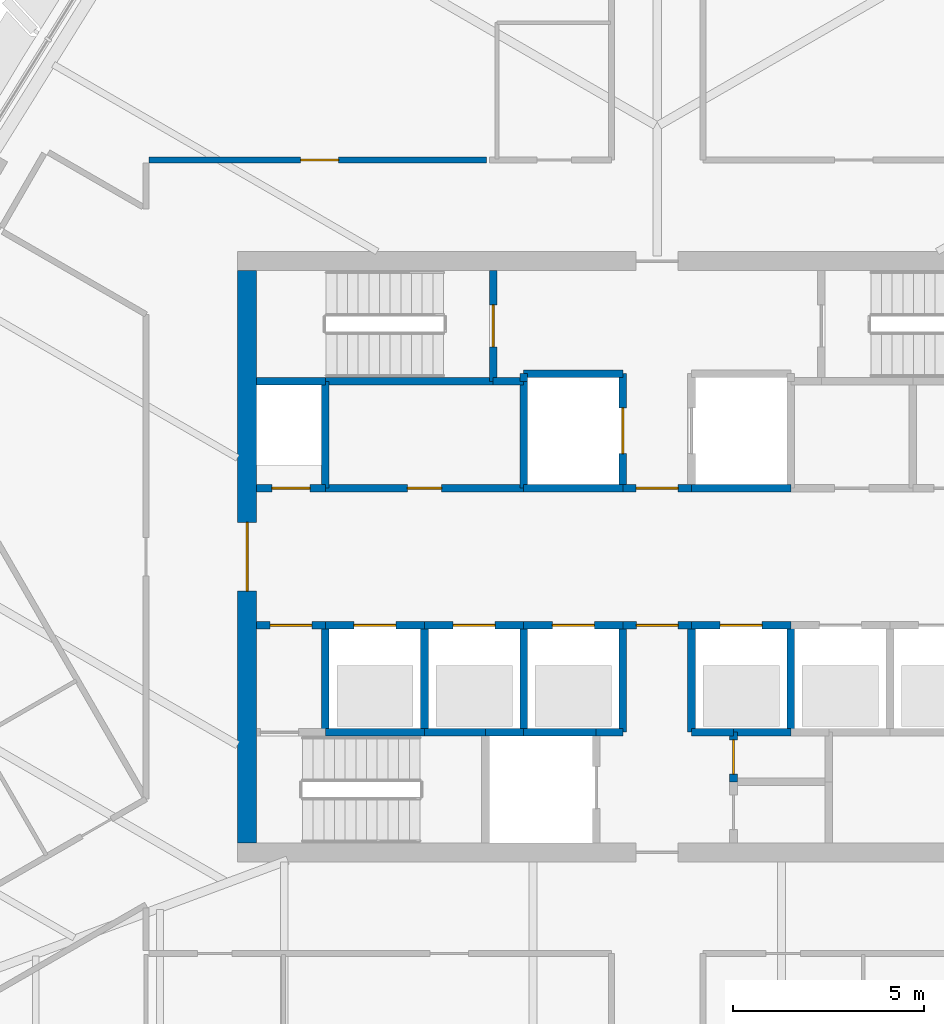
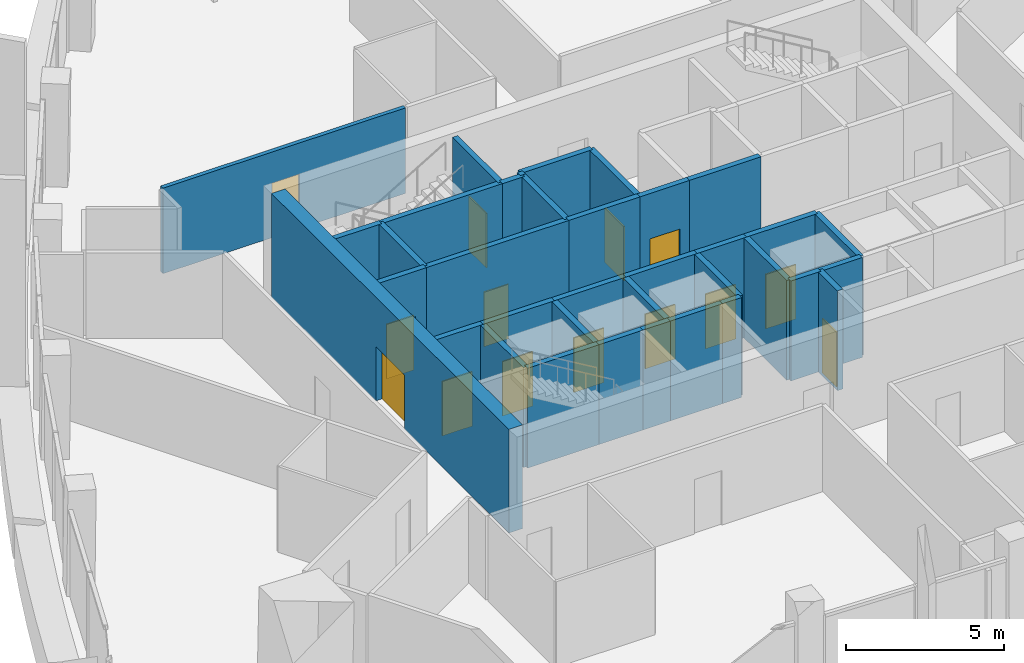
# One storey, part 9 of 16: 36 walls, 14 doors, 14 openings.
"""IFC4 building model written with IfcOpenShell, lengths in metres."""

from ifc_helpers import new_model, si_unit, direction, frame, frame_2d, origin, place, context, subcontext, project, spatial, rectangle, extrude, material, layer, layer_set, type_object, element, fill, save


model = new_model("IFC4")

# Units and contexts
model_context = context("Model", 3, precision=1e-05, world=origin(), true_north=direction((0.0, 1.0)))
body_context = subcontext(model_context, "Body", "Model", "MODEL_VIEW")
ifc_project = project(units=[si_unit("LENGTHUNIT", "METRE"), si_unit("AREAUNIT", "SQUARE_METRE"), si_unit("VOLUMEUNIT", "CUBIC_METRE"), si_unit("PLANEANGLEUNIT", "RADIAN"), si_unit("MASSUNIT", "GRAM", prefix="KILO")], contexts=[model_context])

# Site, building, storey
site_placement = place(None, origin())
site = spatial("IfcSite", under=ifc_project, at=site_placement, CompositionType="ELEMENT")
building_placement = place(site_placement, origin())
building = spatial("IfcBuilding", under=site, at=building_placement, Name="Sierra Prisma Convention Tower", CompositionType="ELEMENT")
storey_placement = place(building_placement, frame((0.0, 0.0, 271.0)))
storey = spatial("IfcBuildingStorey", under=building, at=storey_placement, Name="L61", CompositionType="ELEMENT", Elevation=271.0)

# Wall, opening, door
ifc_material_1 = material(Name="Concrete C30/37", Category="concrete")
ifc_layer_1 = layer(ifc_material_1, 0.199951171875)
ifc_layer_set_1 = layer_set([ifc_layer_1], Name="Core wall RC 200 C30/37")
wall_type_1 = type_object("IfcWallType", Name="Core wall RC 200 C30/37", PredefinedType="SOLIDWALL", material=ifc_layer_set_1)
wall_1_placement = place(storey_placement, frame((-10.5, -1.800048828125, 0.0), z_axis=(0.0, 0.0, 1.0), x_axis=(1.0, 0.0, 0.0)))
wall_1 = element("IfcWall", 1, at=wall_1_placement, inside=storey, type_object=wall_type_1, Name="Core wall L61 2", PredefinedType="SOLIDWALL", context=body_context, shape_type="SweptSolid", body=[
    extrude(rectangle(XDim=1.800048828125, YDim=0.199951171875, at=frame_2d((0.89990234375, 0.0))), origin(), (0.0, 0.0, 1.0), 3.85009765625),
])
opening_1_placement = place(wall_1_placement, frame((0.35009765625, 0.0, 0.0)))
opening_1 = element("IfcOpeningElement", 2, at=opening_1_placement, cuts=wall_1, Name="Opening L61-D010", PredefinedType="OPENING", context=body_context, shape_type="SweptSolid", body=[
    extrude(rectangle(XDim=1.10009765625, YDim=2.10009765625, at=frame_2d((0.550048828125, 1.050048828125))), frame((0.0, 0.10009765625, 0.0), z_axis=(0.0, -1.0, 0.0), x_axis=(1.0, 0.0, 0.0)), (0.0, 0.0, 1.0), 0.199951171875),
])
ifc_material_2 = material(Name="Steel fire door leaf", Category="steel")
door_type_1 = type_object("IfcDoorType", Name="Door 1100x2100 FD90S", OperationType="SINGLE_SWING_LEFT", PredefinedType="DOOR", material=ifc_material_2)
door_1_placement = place(opening_1_placement, origin())
door_1 = element("IfcDoor", 3, at=door_1_placement, inside=storey, type_object=door_type_1, Name="Door L61 24", OperationType="SINGLE_SWING_RIGHT", OverallHeight=2.10009765625, OverallWidth=1.10009765625, PredefinedType="DOOR", context=body_context, shape_type="SweptSolid", body=[
    extrude(rectangle(XDim=1.10009765625, YDim=2.10009765625, at=frame_2d((0.550048828125, 1.050048828125))), frame((0.0, 0.02490234375, 0.0), z_axis=(0.0, -1.0, 0.0), x_axis=(1.0, 0.0, 0.0)), (0.0, 0.0, 1.0), 0.050048828125),
])
fill(opening_1, door_1)

wall_2_placement = place(storey_placement, frame((-8.699951171875, 1.800048828125, 0.0), z_axis=(0.0, 0.0, 1.0), x_axis=(-1.0, 0.0, 0.0)))
wall_2 = element("IfcWall", 4, at=wall_2_placement, inside=storey, type_object=wall_type_1, Name="Core wall L61 3", PredefinedType="SOLIDWALL", context=body_context, shape_type="SweptSolid", body=[
    extrude(rectangle(XDim=1.800048828125, YDim=0.199951171875, at=frame_2d((0.89990234375, 0.0))), origin(), (0.0, 0.0, 1.0), 3.85009765625),
])
opening_2_placement = place(wall_2_placement, frame((0.39990234375, 0.0, 0.0)))
opening_2 = element("IfcOpeningElement", 5, at=opening_2_placement, cuts=wall_2, Name="Opening L61-D013", PredefinedType="OPENING", context=body_context, shape_type="SweptSolid", body=[
    extrude(rectangle(XDim=1.0, YDim=2.10009765625, at=frame_2d((0.5, 1.050048828125))), frame((0.0, 0.10009765625, 0.0), z_axis=(0.0, -1.0, 0.0), x_axis=(1.0, 0.0, 0.0)), (0.0, 0.0, 1.0), 0.199951171875),
])
ifc_material_3 = material(Name="Steel fire door leaf", Category="steel")
door_type_2 = type_object("IfcDoorType", Name="Door 1000x2100 FD60S", OperationType="SINGLE_SWING_LEFT", PredefinedType="DOOR", material=ifc_material_3)
door_2_placement = place(opening_2_placement, origin())
door_2 = element("IfcDoor", 6, at=door_2_placement, inside=storey, type_object=door_type_2, Name="Door L61 27", OperationType="SINGLE_SWING_RIGHT", OverallHeight=2.10009765625, OverallWidth=1.0, PredefinedType="DOOR", context=body_context, shape_type="SweptSolid", body=[
    extrude(rectangle(XDim=1.0, YDim=2.10009765625, at=frame_2d((0.5, 1.050048828125))), frame((0.0, 0.02490234375, 0.0), z_axis=(0.0, -1.0, 0.0), x_axis=(1.0, 0.0, 0.0)), (0.0, 0.0, 1.0), 0.050048828125),
])
fill(opening_2, door_2)

# Walls
wall_3_placement = place(storey_placement, frame((-8.699951171875, 4.60009765625, 0.0), z_axis=(0.0, 0.0, 1.0), x_axis=(-1.0, 0.0, 0.0)))
element("IfcWall", 7, at=wall_3_placement, inside=storey, type_object=wall_type_1, Name="Core wall L61 4", PredefinedType="SOLIDWALL", context=body_context, shape_type="SweptSolid", body=[
    extrude(rectangle(XDim=1.800048828125, YDim=0.199951171875, at=frame_2d((0.89990234375, 0.0))), origin(), (0.0, 0.0, 1.0), 3.85009765625),
])
wall_4_placement = place(storey_placement, frame((-8.699951171875, -4.60009765625, 0.0), z_axis=(0.0, 0.0, 1.0), x_axis=(1.0, 0.0, 0.0)))
element("IfcWall", 8, at=wall_4_placement, inside=storey, type_object=wall_type_1, Name="Core wall L61 5", PredefinedType="SOLIDWALL", context=body_context, shape_type="SweptSolid", body=[
    extrude(rectangle(XDim=2.599853515625, YDim=0.199951171875, at=frame_2d((1.2998046875, 0.0))), origin(), (0.0, 0.0, 1.0), 3.85009765625),
])
wall_5_placement = place(storey_placement, frame((-8.699951171875, -4.60009765625, 0.0), z_axis=(0.0, 0.0, 1.0), x_axis=(0.0, 1.0, 0.0)))
element("IfcWall", 9, at=wall_5_placement, inside=storey, type_object=wall_type_1, Name="Core wall L61 6", PredefinedType="SOLIDWALL", context=body_context, shape_type="SweptSolid", body=[
    extrude(rectangle(XDim=2.800048828125, YDim=0.199951171875, at=frame_2d((1.39990234375, 0.0))), origin(), (0.0, 0.0, 1.0), 3.85009765625),
])

# Wall, opening, door
wall_6_placement = place(storey_placement, frame((-8.699951171875, -1.800048828125, 0.0), z_axis=(0.0, 0.0, 1.0), x_axis=(1.0, 0.0, 0.0)))
wall_6 = element("IfcWall", 10, at=wall_6_placement, inside=storey, type_object=wall_type_1, Name="Core wall L61 7", PredefinedType="SOLIDWALL", context=body_context, shape_type="SweptSolid", body=[
    extrude(rectangle(XDim=2.599853515625, YDim=0.199951171875, at=frame_2d((1.2998046875, 0.0))), origin(), (0.0, 0.0, 1.0), 3.85009765625),
])
opening_3_placement = place(wall_6_placement, frame((0.75, 0.0, 0.0)))
opening_3 = element("IfcOpeningElement", 11, at=opening_3_placement, cuts=wall_6, Name="Opening L61-D001", PredefinedType="OPENING", context=body_context, shape_type="SweptSolid", body=[
    extrude(rectangle(XDim=1.10009765625, YDim=2.10009765625, at=frame_2d((0.550048828125, 1.050048828125))), frame((0.0, 0.10009765625, 0.0), z_axis=(0.0, -1.0, 0.0), x_axis=(1.0, 0.0, 0.0)), (0.0, 0.0, 1.0), 0.199951171875),
])
ifc_material_4 = material(Name="Steel fire door leaf", Category="steel")
door_type_3 = type_object("IfcDoorType", Name="Door 1100x2100 EI 90 sliding lift landing", OperationType="SLIDING_TO_LEFT", PredefinedType="DOOR", material=ifc_material_4)
door_3_placement = place(opening_3_placement, origin())
door_3 = element("IfcDoor", 12, at=door_3_placement, inside=storey, type_object=door_type_3, Name="Door L61 15", OperationType="SLIDING_TO_LEFT", OverallHeight=2.10009765625, OverallWidth=1.10009765625, PredefinedType="DOOR", context=body_context, shape_type="SweptSolid", body=[
    extrude(rectangle(XDim=1.10009765625, YDim=2.10009765625, at=frame_2d((0.550048828125, 1.050048828125))), frame((0.0, 0.02490234375, 0.0), z_axis=(0.0, -1.0, 0.0), x_axis=(1.0, 0.0, 0.0)), (0.0, 0.0, 1.0), 0.050048828125),
])
fill(opening_3, door_3)

wall_7_placement = place(storey_placement, frame((-8.699951171875, 1.800048828125, 0.0), z_axis=(0.0, 0.0, 1.0), x_axis=(1.0, 0.0, 0.0)))
wall_7 = element("IfcWall", 13, at=wall_7_placement, inside=storey, type_object=wall_type_1, Name="Core wall L61 8", PredefinedType="SOLIDWALL", context=body_context, shape_type="SweptSolid", body=[
    extrude(rectangle(XDim=5.199951171875, YDim=0.199951171875, at=frame_2d((2.60009765625, 0.0))), origin(), (0.0, 0.0, 1.0), 3.85009765625),
])
opening_4_placement = place(wall_7_placement, frame((2.14990234375, 0.0, 0.0)))
opening_4 = element("IfcOpeningElement", 14, at=opening_4_placement, cuts=wall_7, Name="Opening L61-D020", PredefinedType="OPENING", context=body_context, shape_type="SweptSolid", body=[
    extrude(rectangle(XDim=0.89990234375, YDim=2.10009765625, at=frame_2d((0.449951171875, 1.050048828125))), frame((0.0, 0.10009765625, 0.0), z_axis=(0.0, -1.0, 0.0), x_axis=(1.0, 0.0, 0.0)), (0.0, 0.0, 1.0), 0.199951171875),
])
ifc_material_5 = material(Name="Steel fire door leaf", Category="steel")
door_type_4 = type_object("IfcDoorType", Name="Door 900x2100 FD30S", OperationType="SINGLE_SWING_LEFT", PredefinedType="DOOR", material=ifc_material_5)
door_4_placement = place(opening_4_placement, origin())
door_4 = element("IfcDoor", 15, at=door_4_placement, inside=storey, type_object=door_type_4, Name="Door L61 34", OperationType="SINGLE_SWING_RIGHT", OverallHeight=2.10009765625, OverallWidth=0.89990234375, PredefinedType="DOOR", context=body_context, shape_type="SweptSolid", body=[
    extrude(rectangle(XDim=0.89990234375, YDim=2.10009765625, at=frame_2d((0.449951171875, 1.050048828125))), frame((0.0, 0.02490234375, 0.0), z_axis=(0.0, -1.0, 0.0), x_axis=(1.0, 0.0, 0.0)), (0.0, 0.0, 1.0), 0.050048828125),
])
fill(opening_4, door_4)

# Walls
wall_8_placement = place(storey_placement, frame((-8.699951171875, 4.60009765625, 0.0), z_axis=(0.0, 0.0, 1.0), x_axis=(0.0, -1.0, 0.0)))
element("IfcWall", 16, at=wall_8_placement, inside=storey, type_object=wall_type_1, Name="Core wall L61 9", PredefinedType="SOLIDWALL", context=body_context, shape_type="SweptSolid", body=[
    extrude(rectangle(XDim=2.800048828125, YDim=0.199951171875, at=frame_2d((1.39990234375, 0.0))), origin(), (0.0, 0.0, 1.0), 3.85009765625),
])
wall_9_placement = place(storey_placement, frame((-4.300048828125, 4.60009765625, 0.0), z_axis=(0.0, 0.0, 1.0), x_axis=(-1.0, 0.0, 0.0)))
element("IfcWall", 17, at=wall_9_placement, inside=storey, type_object=wall_type_1, Name="Core wall L61 10", PredefinedType="SOLIDWALL", context=body_context, shape_type="SweptSolid", body=[
    extrude(rectangle(XDim=4.39990234375, YDim=0.199951171875, at=frame_2d((2.199951171875, 0.0))), origin(), (0.0, 0.0, 1.0), 3.85009765625),
])
wall_10_placement = place(storey_placement, frame((-6.10009765625, -4.60009765625, 0.0), z_axis=(0.0, 0.0, 1.0), x_axis=(1.0, 0.0, 0.0)))
element("IfcWall", 18, at=wall_10_placement, inside=storey, type_object=wall_type_1, Name="Core wall L61 11", PredefinedType="SOLIDWALL", context=body_context, shape_type="SweptSolid", body=[
    extrude(rectangle(XDim=1.60009765625, YDim=0.199951171875, at=frame_2d((0.800048828125, 0.0))), origin(), (0.0, 0.0, 1.0), 3.85009765625),
])
wall_11_placement = place(storey_placement, frame((-6.10009765625, -4.60009765625, 0.0), z_axis=(0.0, 0.0, 1.0), x_axis=(0.0, 1.0, 0.0)))
element("IfcWall", 19, at=wall_11_placement, inside=storey, type_object=wall_type_1, Name="Core wall L61 12", PredefinedType="SOLIDWALL", context=body_context, shape_type="SweptSolid", body=[
    extrude(rectangle(XDim=2.800048828125, YDim=0.199951171875, at=frame_2d((1.39990234375, 0.0))), origin(), (0.0, 0.0, 1.0), 3.85009765625),
])

# Wall, opening, door
wall_12_placement = place(storey_placement, frame((-6.10009765625, -1.800048828125, 0.0), z_axis=(0.0, 0.0, 1.0), x_axis=(1.0, 0.0, 0.0)))
wall_12 = element("IfcWall", 20, at=wall_12_placement, inside=storey, type_object=wall_type_1, Name="Core wall L61 13", PredefinedType="SOLIDWALL", context=body_context, shape_type="SweptSolid", body=[
    extrude(rectangle(XDim=2.60009765625, YDim=0.199951171875, at=frame_2d((1.300048828125, 0.0))), origin(), (0.0, 0.0, 1.0), 3.85009765625),
])
opening_5_placement = place(wall_12_placement, frame((0.75, 0.0, 0.0)))
opening_5 = element("IfcOpeningElement", 21, at=opening_5_placement, cuts=wall_12, Name="Opening L61-D002", PredefinedType="OPENING", context=body_context, shape_type="SweptSolid", body=[
    extrude(rectangle(XDim=1.10009765625, YDim=2.10009765625, at=frame_2d((0.550048828125, 1.050048828125))), frame((0.0, 0.10009765625, 0.0), z_axis=(0.0, -1.0, 0.0), x_axis=(1.0, 0.0, 0.0)), (0.0, 0.0, 1.0), 0.199951171875),
])
door_5_placement = place(opening_5_placement, origin())
door_5 = element("IfcDoor", 22, at=door_5_placement, inside=storey, type_object=door_type_3, Name="Door L61 16", OperationType="SLIDING_TO_RIGHT", OverallHeight=2.10009765625, OverallWidth=1.10009765625, PredefinedType="DOOR", context=body_context, shape_type="SweptSolid", body=[
    extrude(rectangle(XDim=1.10009765625, YDim=2.10009765625, at=frame_2d((0.550048828125, 1.050048828125))), frame((0.0, 0.02490234375, 0.0), z_axis=(0.0, -1.0, 0.0), x_axis=(1.0, 0.0, 0.0)), (0.0, 0.0, 1.0), 0.050048828125),
])
fill(opening_5, door_5)

# Walls
wall_13_placement = place(storey_placement, frame((-4.5, -4.60009765625, 0.0), z_axis=(0.0, 0.0, 1.0), x_axis=(1.0, 0.0, 0.0)))
element("IfcWall", 23, at=wall_13_placement, inside=storey, type_object=wall_type_1, Name="Core wall L61 15", PredefinedType="SOLIDWALL", context=body_context, shape_type="SweptSolid", body=[
    extrude(rectangle(XDim=1.0, YDim=0.199951171875, at=frame_2d((0.5, 0.0))), origin(), (0.0, 0.0, 1.0), 3.85009765625),
])
wall_14_placement = place(storey_placement, frame((-3.5, 4.60009765625, 0.0), z_axis=(0.0, 0.0, 1.0), x_axis=(-1.0, 0.0, 0.0)))
element("IfcWall", 24, at=wall_14_placement, inside=storey, type_object=wall_type_1, Name="Core wall L61 16", PredefinedType="SOLIDWALL", context=body_context, shape_type="SweptSolid", body=[
    extrude(rectangle(XDim=0.800048828125, YDim=0.199951171875, at=frame_2d((0.39990234375, 0.0))), origin(), (0.0, 0.0, 1.0), 3.85009765625),
])

# Wall, opening, door
wall_15_placement = place(storey_placement, frame((-4.300048828125, 4.60009765625, 0.0), z_axis=(0.0, 0.0, 1.0), x_axis=(0.0, 1.0, 0.0)))
wall_15 = element("IfcWall", 25, at=wall_15_placement, inside=storey, type_object=wall_type_1, Name="Core wall L61 17", PredefinedType="SOLIDWALL", context=body_context, shape_type="SweptSolid", body=[
    extrude(rectangle(XDim=2.89990234375, YDim=0.199951171875, at=frame_2d((1.449951171875, 0.0))), origin(), (0.0, 0.0, 1.0), 3.85009765625),
])
opening_6_placement = place(wall_15_placement, frame((0.89990234375, 0.0, 0.0)))
opening_6 = element("IfcOpeningElement", 26, at=opening_6_placement, cuts=wall_15, Name="Opening L61-D016", PredefinedType="OPENING", context=body_context, shape_type="SweptSolid", body=[
    extrude(rectangle(XDim=1.10009765625, YDim=2.10009765625, at=frame_2d((0.550048828125, 1.050048828125))), frame((0.0, 0.10009765625, 0.0), z_axis=(0.0, -1.0, 0.0), x_axis=(1.0, 0.0, 0.0)), (0.0, 0.0, 1.0), 0.199951171875),
])
door_6_placement = place(opening_6_placement, origin())
door_6 = element("IfcDoor", 27, at=door_6_placement, inside=storey, type_object=door_type_1, Name="Door L61 30", OperationType="SINGLE_SWING_RIGHT", OverallHeight=2.10009765625, OverallWidth=1.10009765625, PredefinedType="DOOR", context=body_context, shape_type="SweptSolid", body=[
    extrude(rectangle(XDim=1.10009765625, YDim=2.10009765625, at=frame_2d((0.550048828125, 1.050048828125))), frame((0.0, 0.02490234375, 0.0), z_axis=(0.0, -1.0, 0.0), x_axis=(1.0, 0.0, 0.0)), (0.0, 0.0, 1.0), 0.050048828125),
])
fill(opening_6, door_6)

# Walls
wall_16_placement = place(storey_placement, frame((-3.5, -4.60009765625, 0.0), z_axis=(0.0, 0.0, 1.0), x_axis=(1.0, 0.0, 0.0)))
element("IfcWall", 28, at=wall_16_placement, inside=storey, type_object=wall_type_1, Name="Core wall L61 18", PredefinedType="SOLIDWALL", context=body_context, shape_type="SweptSolid", body=[
    extrude(rectangle(XDim=1.89990234375, YDim=0.199951171875, at=frame_2d((0.949951171875, 0.0))), origin(), (0.0, 0.0, 1.0), 3.85009765625),
])
wall_17_placement = place(storey_placement, frame((-3.5, -4.60009765625, 0.0), z_axis=(0.0, 0.0, 1.0), x_axis=(0.0, 1.0, 0.0)))
element("IfcWall", 29, at=wall_17_placement, inside=storey, type_object=wall_type_1, Name="Core wall L61 19", PredefinedType="SOLIDWALL", context=body_context, shape_type="SweptSolid", body=[
    extrude(rectangle(XDim=2.800048828125, YDim=0.199951171875, at=frame_2d((1.39990234375, 0.0))), origin(), (0.0, 0.0, 1.0), 3.85009765625),
])

# Wall, opening, door
wall_18_placement = place(storey_placement, frame((-3.5, -1.800048828125, 0.0), z_axis=(0.0, 0.0, 1.0), x_axis=(1.0, 0.0, 0.0)))
wall_18 = element("IfcWall", 30, at=wall_18_placement, inside=storey, type_object=wall_type_1, Name="Core wall L61 20", PredefinedType="SOLIDWALL", context=body_context, shape_type="SweptSolid", body=[
    extrude(rectangle(XDim=2.60009765625, YDim=0.199951171875, at=frame_2d((1.300048828125, 0.0))), origin(), (0.0, 0.0, 1.0), 3.85009765625),
])
opening_7_placement = place(wall_18_placement, frame((0.75, 0.0, 0.0)))
opening_7 = element("IfcOpeningElement", 31, at=opening_7_placement, cuts=wall_18, Name="Opening L61-D003", PredefinedType="OPENING", context=body_context, shape_type="SweptSolid", body=[
    extrude(rectangle(XDim=1.10009765625, YDim=2.10009765625, at=frame_2d((0.550048828125, 1.050048828125))), frame((0.0, 0.10009765625, 0.0), z_axis=(0.0, -1.0, 0.0), x_axis=(1.0, 0.0, 0.0)), (0.0, 0.0, 1.0), 0.199951171875),
])
door_7_placement = place(opening_7_placement, origin())
door_7 = element("IfcDoor", 32, at=door_7_placement, inside=storey, type_object=door_type_3, Name="Door L61 17", OperationType="SLIDING_TO_RIGHT", OverallHeight=2.10009765625, OverallWidth=1.10009765625, PredefinedType="DOOR", context=body_context, shape_type="SweptSolid", body=[
    extrude(rectangle(XDim=1.10009765625, YDim=2.10009765625, at=frame_2d((0.550048828125, 1.050048828125))), frame((0.0, 0.02490234375, 0.0), z_axis=(0.0, -1.0, 0.0), x_axis=(1.0, 0.0, 0.0)), (0.0, 0.0, 1.0), 0.050048828125),
])
fill(opening_7, door_7)

# Walls
wall_19_placement = place(storey_placement, frame((-0.89990234375, 1.800048828125, 0.0), z_axis=(0.0, 0.0, 1.0), x_axis=(-1.0, 0.0, 0.0)))
element("IfcWall", 33, at=wall_19_placement, inside=storey, type_object=wall_type_1, Name="Core wall L61 21", PredefinedType="SOLIDWALL", context=body_context, shape_type="SweptSolid", body=[
    extrude(rectangle(XDim=2.60009765625, YDim=0.199951171875, at=frame_2d((1.300048828125, 0.0))), origin(), (0.0, 0.0, 1.0), 3.85009765625),
])
wall_20_placement = place(storey_placement, frame((-3.5, 1.800048828125, 0.0), z_axis=(0.0, 0.0, 1.0), x_axis=(0.0, 1.0, 0.0)))
element("IfcWall", 34, at=wall_20_placement, inside=storey, type_object=wall_type_1, Name="Core wall L61 22", PredefinedType="SOLIDWALL", context=body_context, shape_type="SweptSolid", body=[
    extrude(rectangle(XDim=2.800048828125, YDim=0.199951171875, at=frame_2d((1.39990234375, 0.0))), origin(), (0.0, 0.0, 1.0), 3.85009765625),
])

# Wall, opening, door
wall_21_placement = place(storey_placement, frame((-0.89990234375, 1.800048828125, 0.0), z_axis=(0.0, 0.0, 1.0), x_axis=(0.0, 1.0, 0.0)))
wall_21 = element("IfcWall", 35, at=wall_21_placement, inside=storey, type_object=wall_type_1, Name="Core wall L61 23", PredefinedType="SOLIDWALL", context=body_context, shape_type="SweptSolid", body=[
    extrude(rectangle(XDim=3.0, YDim=0.199951171875, at=frame_2d((1.5, 0.0))), origin(), (0.0, 0.0, 1.0), 3.85009765625),
])
opening_8_placement = place(wall_21_placement, frame((0.89990234375, 0.0, 0.0)))
opening_8 = element("IfcOpeningElement", 36, at=opening_8_placement, cuts=wall_21, Name="Opening L61-D007", PredefinedType="OPENING", context=body_context, shape_type="SweptSolid", body=[
    extrude(rectangle(XDim=1.199951171875, YDim=2.10009765625, at=frame_2d((0.60009765625, 1.050048828125))), frame((0.0, 0.10009765625, 0.0), z_axis=(0.0, -1.0, 0.0), x_axis=(1.0, 0.0, 0.0)), (0.0, 0.0, 1.0), 0.199951171875),
])
ifc_material_6 = material(Name="Steel fire door leaf", Category="steel")
door_type_5 = type_object("IfcDoorType", Name="Door 1200x2100 EI 90 sliding lift landing", OperationType="SLIDING_TO_LEFT", PredefinedType="DOOR", material=ifc_material_6)
door_8_placement = place(opening_8_placement, origin())
door_8 = element("IfcDoor", 37, at=door_8_placement, inside=storey, type_object=door_type_5, Name="Door L61 21", OperationType="SLIDING_TO_RIGHT", OverallHeight=2.10009765625, OverallWidth=1.199951171875, PredefinedType="DOOR", context=body_context, shape_type="SweptSolid", body=[
    extrude(rectangle(XDim=1.199951171875, YDim=2.10009765625, at=frame_2d((0.60009765625, 1.050048828125))), frame((0.0, 0.02490234375, 0.0), z_axis=(0.0, -1.0, 0.0), x_axis=(1.0, 0.0, 0.0)), (0.0, 0.0, 1.0), 0.050048828125),
])
fill(opening_8, door_8)

# Walls
wall_22_placement = place(storey_placement, frame((-0.89990234375, 4.800048828125, 0.0), z_axis=(0.0, 0.0, 1.0), x_axis=(-1.0, 0.0, 0.0)))
element("IfcWall", 38, at=wall_22_placement, inside=storey, type_object=wall_type_1, Name="Core wall L61 24", PredefinedType="SOLIDWALL", context=body_context, shape_type="SweptSolid", body=[
    extrude(rectangle(XDim=2.60009765625, YDim=0.199951171875, at=frame_2d((1.300048828125, 0.0))), origin(), (0.0, 0.0, 1.0), 3.85009765625),
])
wall_23_placement = place(storey_placement, frame((-3.5, 4.800048828125, 0.0), z_axis=(0.0, 0.0, 1.0), x_axis=(0.0, -1.0, 0.0)))
element("IfcWall", 39, at=wall_23_placement, inside=storey, type_object=wall_type_1, Name="Core wall L61 25", PredefinedType="SOLIDWALL", context=body_context, shape_type="SweptSolid", body=[
    extrude(rectangle(XDim=0.199951171875, YDim=0.199951171875, at=frame_2d((0.10009765625, 0.0))), origin(), (0.0, 0.0, 1.0), 3.85009765625),
])
wall_24_placement = place(storey_placement, frame((-1.60009765625, -4.60009765625, 0.0), z_axis=(0.0, 0.0, 1.0), x_axis=(1.0, 0.0, 0.0)))
element("IfcWall", 40, at=wall_24_placement, inside=storey, type_object=wall_type_1, Name="Core wall L61 27", PredefinedType="SOLIDWALL", context=body_context, shape_type="SweptSolid", body=[
    extrude(rectangle(XDim=0.7001953125, YDim=0.199951171875, at=frame_2d((0.35009765625, 0.0))), origin(), (0.0, 0.0, 1.0), 3.85009765625),
])
wall_25_placement = place(storey_placement, frame((-0.89990234375, -4.60009765625, 0.0), z_axis=(0.0, 0.0, 1.0), x_axis=(0.0, 1.0, 0.0)))
element("IfcWall", 41, at=wall_25_placement, inside=storey, type_object=wall_type_1, Name="Core wall L61 28", PredefinedType="SOLIDWALL", context=body_context, shape_type="SweptSolid", body=[
    extrude(rectangle(XDim=2.800048828125, YDim=0.199951171875, at=frame_2d((1.39990234375, 0.0))), origin(), (0.0, 0.0, 1.0), 3.85009765625),
])

# Wall, opening, door
wall_26_placement = place(storey_placement, frame((-0.89990234375, -1.800048828125, 0.0), z_axis=(0.0, 0.0, 1.0), x_axis=(1.0, 0.0, 0.0)))
wall_26 = element("IfcWall", 42, at=wall_26_placement, inside=storey, type_object=wall_type_1, Name="Core wall L61 29", PredefinedType="SOLIDWALL", context=body_context, shape_type="SweptSolid", body=[
    extrude(rectangle(XDim=1.7998046875, YDim=0.199951171875, at=frame_2d((0.89990234375, 0.0))), origin(), (0.0, 0.0, 1.0), 3.85009765625),
])
opening_9_placement = place(wall_26_placement, frame((0.35009765625, 0.0, 0.0)))
opening_9 = element("IfcOpeningElement", 43, at=opening_9_placement, cuts=wall_26, Name="Opening L61-D012", PredefinedType="OPENING", context=body_context, shape_type="SweptSolid", body=[
    extrude(rectangle(XDim=1.10009765625, YDim=2.10009765625, at=frame_2d((0.550048828125, 1.050048828125))), frame((0.0, 0.10009765625, 0.0), z_axis=(0.0, -1.0, 0.0), x_axis=(1.0, 0.0, 0.0)), (0.0, 0.0, 1.0), 0.199951171875),
])
ifc_material_7 = material(Name="Steel fire door leaf", Category="steel")
door_type_6 = type_object("IfcDoorType", Name="Door 1100x2100 FD30S", OperationType="SINGLE_SWING_LEFT", PredefinedType="DOOR", material=ifc_material_7)
door_9_placement = place(opening_9_placement, origin())
door_9 = element("IfcDoor", 44, at=door_9_placement, inside=storey, type_object=door_type_6, Name="Door L61 26", OperationType="SINGLE_SWING_LEFT", OverallHeight=2.10009765625, OverallWidth=1.10009765625, PredefinedType="DOOR", context=body_context, shape_type="SweptSolid", body=[
    extrude(rectangle(XDim=1.10009765625, YDim=2.10009765625, at=frame_2d((0.550048828125, 1.050048828125))), frame((0.0, 0.02490234375, 0.0), z_axis=(0.0, -1.0, 0.0), x_axis=(1.0, 0.0, 0.0)), (0.0, 0.0, 1.0), 0.050048828125),
])
fill(opening_9, door_9)

wall_27_placement = place(storey_placement, frame((0.89990234375, 1.800048828125, 0.0), z_axis=(0.0, 0.0, 1.0), x_axis=(-1.0, 0.0, 0.0)))
wall_27 = element("IfcWall", 45, at=wall_27_placement, inside=storey, type_object=wall_type_1, Name="Core wall L61 30", PredefinedType="SOLIDWALL", context=body_context, shape_type="SweptSolid", body=[
    extrude(rectangle(XDim=1.7998046875, YDim=0.199951171875, at=frame_2d((0.89990234375, 0.0))), origin(), (0.0, 0.0, 1.0), 3.85009765625),
])
opening_10_placement = place(wall_27_placement, frame((0.35009765625, 0.0, 0.0)))
opening_10 = element("IfcOpeningElement", 46, at=opening_10_placement, cuts=wall_27, Name="Opening L61-D011", PredefinedType="OPENING", context=body_context, shape_type="SweptSolid", body=[
    extrude(rectangle(XDim=1.10009765625, YDim=2.10009765625, at=frame_2d((0.550048828125, 1.050048828125))), frame((0.0, 0.10009765625, 0.0), z_axis=(0.0, -1.0, 0.0), x_axis=(1.0, 0.0, 0.0)), (0.0, 0.0, 1.0), 0.199951171875),
])
ifc_material_8 = material(Name="Steel fire door leaf", Category="steel")
door_type_7 = type_object("IfcDoorType", Name="Door 1100x2100 FD60S", OperationType="SINGLE_SWING_LEFT", PredefinedType="DOOR", material=ifc_material_8)
door_10_placement = place(opening_10_placement, origin())
door_10 = element("IfcDoor", 47, at=door_10_placement, inside=storey, type_object=door_type_7, Name="Door L61 25", OperationType="SINGLE_SWING_LEFT", OverallHeight=2.10009765625, OverallWidth=1.10009765625, PredefinedType="DOOR", context=body_context, shape_type="SweptSolid", body=[
    extrude(rectangle(XDim=1.10009765625, YDim=2.10009765625, at=frame_2d((0.550048828125, 1.050048828125))), frame((0.0, 0.02490234375, 0.0), z_axis=(0.0, -1.0, 0.0), x_axis=(1.0, 0.0, 0.0)), (0.0, 0.0, 1.0), 0.050048828125),
])
fill(opening_10, door_10)

wall_28_placement = place(storey_placement, frame((0.89990234375, -1.800048828125, 0.0), z_axis=(0.0, 0.0, 1.0), x_axis=(1.0, 0.0, 0.0)))
wall_28 = element("IfcWall", 48, at=wall_28_placement, inside=storey, type_object=wall_type_1, Name="Core wall L61 31", PredefinedType="SOLIDWALL", context=body_context, shape_type="SweptSolid", body=[
    extrude(rectangle(XDim=2.60009765625, YDim=0.199951171875, at=frame_2d((1.300048828125, 0.0))), origin(), (0.0, 0.0, 1.0), 3.85009765625),
])
opening_11_placement = place(wall_28_placement, frame((0.75, 0.0, 0.0)))
opening_11 = element("IfcOpeningElement", 49, at=opening_11_placement, cuts=wall_28, Name="Opening L61-D004", PredefinedType="OPENING", context=body_context, shape_type="SweptSolid", body=[
    extrude(rectangle(XDim=1.10009765625, YDim=2.10009765625, at=frame_2d((0.550048828125, 1.050048828125))), frame((0.0, 0.10009765625, 0.0), z_axis=(0.0, -1.0, 0.0), x_axis=(1.0, 0.0, 0.0)), (0.0, 0.0, 1.0), 0.199951171875),
])
door_11_placement = place(opening_11_placement, origin())
door_11 = element("IfcDoor", 50, at=door_11_placement, inside=storey, type_object=door_type_3, Name="Door L61 18", OperationType="SLIDING_TO_LEFT", OverallHeight=2.10009765625, OverallWidth=1.10009765625, PredefinedType="DOOR", context=body_context, shape_type="SweptSolid", body=[
    extrude(rectangle(XDim=1.10009765625, YDim=2.10009765625, at=frame_2d((0.550048828125, 1.050048828125))), frame((0.0, 0.02490234375, 0.0), z_axis=(0.0, -1.0, 0.0), x_axis=(1.0, 0.0, 0.0)), (0.0, 0.0, 1.0), 0.050048828125),
])
fill(opening_11, door_11)

# Walls
wall_29_placement = place(storey_placement, frame((0.89990234375, -1.800048828125, 0.0), z_axis=(0.0, 0.0, 1.0), x_axis=(0.0, -1.0, 0.0)))
element("IfcWall", 51, at=wall_29_placement, inside=storey, type_object=wall_type_1, Name="Core wall L61 32", PredefinedType="SOLIDWALL", context=body_context, shape_type="SweptSolid", body=[
    extrude(rectangle(XDim=2.800048828125, YDim=0.199951171875, at=frame_2d((1.39990234375, 0.0))), origin(), (0.0, 0.0, 1.0), 3.85009765625),
])
wall_30_placement = place(storey_placement, frame((0.89990234375, -4.60009765625, 0.0), z_axis=(0.0, 0.0, 1.0), x_axis=(1.0, 0.0, 0.0)))
element("IfcWall", 52, at=wall_30_placement, inside=storey, type_object=wall_type_1, Name="Core wall L61 33", PredefinedType="SOLIDWALL", context=body_context, shape_type="SweptSolid", body=[
    extrude(rectangle(XDim=1.10009765625, YDim=0.199951171875, at=frame_2d((0.550048828125, 0.0))), origin(), (0.0, 0.0, 1.0), 3.85009765625),
])
wall_31_placement = place(storey_placement, frame((3.5, 1.800048828125, 0.0), z_axis=(0.0, 0.0, 1.0), x_axis=(-1.0, 0.0, 0.0)))
element("IfcWall", 53, at=wall_31_placement, inside=storey, type_object=wall_type_1, Name="Core wall L61 34", PredefinedType="SOLIDWALL", context=body_context, shape_type="SweptSolid", body=[
    extrude(rectangle(XDim=2.60009765625, YDim=0.199951171875, at=frame_2d((1.300048828125, 0.0))), origin(), (0.0, 0.0, 1.0), 3.85009765625),
])

# Wall, opening, door
wall_32_placement = place(storey_placement, frame((2.0, -4.60009765625, 0.0), z_axis=(0.0, 0.0, 1.0), x_axis=(0.0, -1.0, 0.0)))
wall_32 = element("IfcWall", 54, at=wall_32_placement, inside=storey, type_object=wall_type_1, Name="Core wall L61 40", PredefinedType="SOLIDWALL", context=body_context, shape_type="SweptSolid", body=[
    extrude(rectangle(XDim=1.2998046875, YDim=0.199951171875, at=frame_2d((0.64990234375, 0.0))), origin(), (0.0, 0.0, 1.0), 3.85009765625),
])
opening_12_placement = place(wall_32_placement, frame((0.199951171875, 0.0, 0.0)))
opening_12 = element("IfcOpeningElement", 55, at=opening_12_placement, cuts=wall_32, Name="Opening L61-D024", PredefinedType="OPENING", context=body_context, shape_type="SweptSolid", body=[
    extrude(rectangle(XDim=0.89990234375, YDim=2.10009765625, at=frame_2d((0.449951171875, 1.050048828125))), frame((0.0, 0.10009765625, 0.0), z_axis=(0.0, -1.0, 0.0), x_axis=(1.0, 0.0, 0.0)), (0.0, 0.0, 1.0), 0.199951171875),
])
door_12_placement = place(opening_12_placement, origin())
door_12 = element("IfcDoor", 56, at=door_12_placement, inside=storey, type_object=door_type_4, Name="Door L61 38", OperationType="SINGLE_SWING_RIGHT", OverallHeight=2.10009765625, OverallWidth=0.89990234375, PredefinedType="DOOR", context=body_context, shape_type="SweptSolid", body=[
    extrude(rectangle(XDim=0.89990234375, YDim=2.10009765625, at=frame_2d((0.449951171875, 1.050048828125))), frame((0.0, 0.02490234375, 0.0), z_axis=(0.0, -1.0, 0.0), x_axis=(1.0, 0.0, 0.0)), (0.0, 0.0, 1.0), 0.050048828125),
])
fill(opening_12, door_12)

# Walls
wall_33_placement = place(storey_placement, frame((3.5, -4.60009765625, 0.0), z_axis=(0.0, 0.0, 1.0), x_axis=(-1.0, 0.0, 0.0)))
element("IfcWall", 57, at=wall_33_placement, inside=storey, type_object=wall_type_1, Name="Core wall L61 41", PredefinedType="SOLIDWALL", context=body_context, shape_type="SweptSolid", body=[
    extrude(rectangle(XDim=1.5, YDim=0.199951171875, at=frame_2d((0.75, 0.0))), origin(), (0.0, 0.0, 1.0), 3.85009765625),
])
wall_34_placement = place(storey_placement, frame((3.5, -4.60009765625, 0.0), z_axis=(0.0, 0.0, 1.0), x_axis=(0.0, 1.0, 0.0)))
element("IfcWall", 58, at=wall_34_placement, inside=storey, type_object=wall_type_1, Name="Core wall L61 43", PredefinedType="SOLIDWALL", context=body_context, shape_type="SweptSolid", body=[
    extrude(rectangle(XDim=2.800048828125, YDim=0.199951171875, at=frame_2d((1.39990234375, 0.0))), origin(), (0.0, 0.0, 1.0), 3.85009765625),
])

# Wall, opening, door
ifc_material_9 = material(Name="Concrete C50/60", Category="concrete")
ifc_layer_2 = layer(ifc_material_9, 0.5)
ifc_layer_set_2 = layer_set([ifc_layer_2], Name="Core wall RC 500 C50/60")
wall_type_2 = type_object("IfcWallType", Name="Core wall RC 500 C50/60", PredefinedType="SHEAR", material=ifc_layer_set_2)
wall_35_placement = place(storey_placement, frame((-10.75, -7.5, 0.0), z_axis=(0.0, 0.0, 1.0), x_axis=(0.0, 1.0, 0.0)))
wall_35 = element("IfcWall", 59, at=wall_35_placement, inside=storey, type_object=wall_type_2, Name="Core wall W L61", PredefinedType="SHEAR", context=body_context, shape_type="SweptSolid", body=[
    extrude(rectangle(XDim=15.0, YDim=0.5, at=frame_2d((7.5, 0.0))), origin(), (0.0, 0.0, 1.0), 4.0),
])
opening_13_placement = place(wall_35_placement, frame((6.60009765625, 0.0, 0.0)))
opening_13 = element("IfcOpeningElement", 60, at=opening_13_placement, cuts=wall_35, Name="Opening L61-D042", PredefinedType="OPENING", context=body_context, shape_type="SweptSolid", body=[
    extrude(rectangle(XDim=1.800048828125, YDim=2.10009765625, at=frame_2d((0.89990234375, 1.050048828125))), frame((0.0, 0.25, 0.0), z_axis=(0.0, -1.0, 0.0), x_axis=(1.0, 0.0, 0.0)), (0.0, 0.0, 1.0), 0.5),
])
ifc_material_10 = material(Name="Steel fire door leaf", Category="steel")
door_type_8 = type_object("IfcDoorType", Name="Door 1800x2100 FD60S", OperationType="DOUBLE_DOOR_SINGLE_SWING", PredefinedType="DOOR", material=ifc_material_10)
door_13_placement = place(opening_13_placement, origin())
door_13 = element("IfcDoor", 61, at=door_13_placement, inside=storey, type_object=door_type_8, Name="Door L61 39", OperationType="DOUBLE_DOOR_SINGLE_SWING", OverallHeight=2.10009765625, OverallWidth=1.800048828125, PredefinedType="DOOR", context=body_context, shape_type="SweptSolid", body=[
    extrude(rectangle(XDim=1.800048828125, YDim=2.10009765625, at=frame_2d((0.89990234375, 1.050048828125))), frame((0.0, 0.02490234375, 0.0), z_axis=(0.0, -1.0, 0.0), x_axis=(1.0, 0.0, 0.0)), (0.0, 0.0, 1.0), 0.050048828125),
])
fill(opening_13, door_13)

ifc_material_11 = material(Name="Gypsum board partition", Category="gypsum")
ifc_layer_3 = layer(ifc_material_11, 0.14990234375)
ifc_layer_set_3 = layer_set([ifc_layer_3], Name="Corridor wall 150 gypsum EI 60")
wall_type_3 = type_object("IfcWallType", Name="Corridor wall 150 gypsum EI 60", PredefinedType="PARTITIONING", material=ifc_layer_set_3)
wall_36_placement = place(storey_placement, frame((-4.47998046875, 10.39990234375, 0.0), z_axis=(0.0, 0.0, 1.0), x_axis=(-1.0, 0.0, 0.0)))
wall_36 = element("IfcWall", 62, at=wall_36_placement, inside=storey, type_object=wall_type_3, Name="Partition L61 corr 12", PredefinedType="PARTITIONING", context=body_context, shape_type="SweptSolid", body=[
    extrude(rectangle(XDim=8.840087890625, YDim=0.14990234375, at=frame_2d((4.419921875, 0.0))), origin(), (0.0, 0.0, 1.0), 3.300048828125),
])
opening_14_placement = place(wall_36_placement, frame((3.8701171875, 0.0, 0.0)))
opening_14 = element("IfcOpeningElement", 63, at=opening_14_placement, cuts=wall_36, Name="Opening L61-D029", PredefinedType="OPENING", context=body_context, shape_type="SweptSolid", body=[
    extrude(rectangle(XDim=1.0, YDim=2.10009765625, at=frame_2d((0.5, 1.050048828125))), frame((0.0, 0.074951171875, 0.0), z_axis=(0.0, -1.0, 0.0), x_axis=(1.0, 0.0, 0.0)), (0.0, 0.0, 1.0), 0.14990234375),
])
ifc_material_12 = material(Name="Steel fire door leaf", Category="steel")
door_type_9 = type_object("IfcDoorType", Name="Door 1000x2100 FD30S", OperationType="SINGLE_SWING_LEFT", PredefinedType="DOOR", material=ifc_material_12)
door_14_placement = place(opening_14_placement, origin())
door_14 = element("IfcDoor", 64, at=door_14_placement, inside=storey, type_object=door_type_9, Name="Door L61 5", OperationType="SINGLE_SWING_LEFT", OverallHeight=2.10009765625, OverallWidth=1.0, PredefinedType="DOOR", context=body_context, shape_type="SweptSolid", body=[
    extrude(rectangle(XDim=1.0, YDim=2.10009765625, at=frame_2d((0.5, 1.050048828125))), frame((0.0, 0.02490234375, 0.0), z_axis=(0.0, -1.0, 0.0), x_axis=(1.0, 0.0, 0.0)), (0.0, 0.0, 1.0), 0.050048828125),
])
fill(opening_14, door_14)

save(model, "model.ifc")
